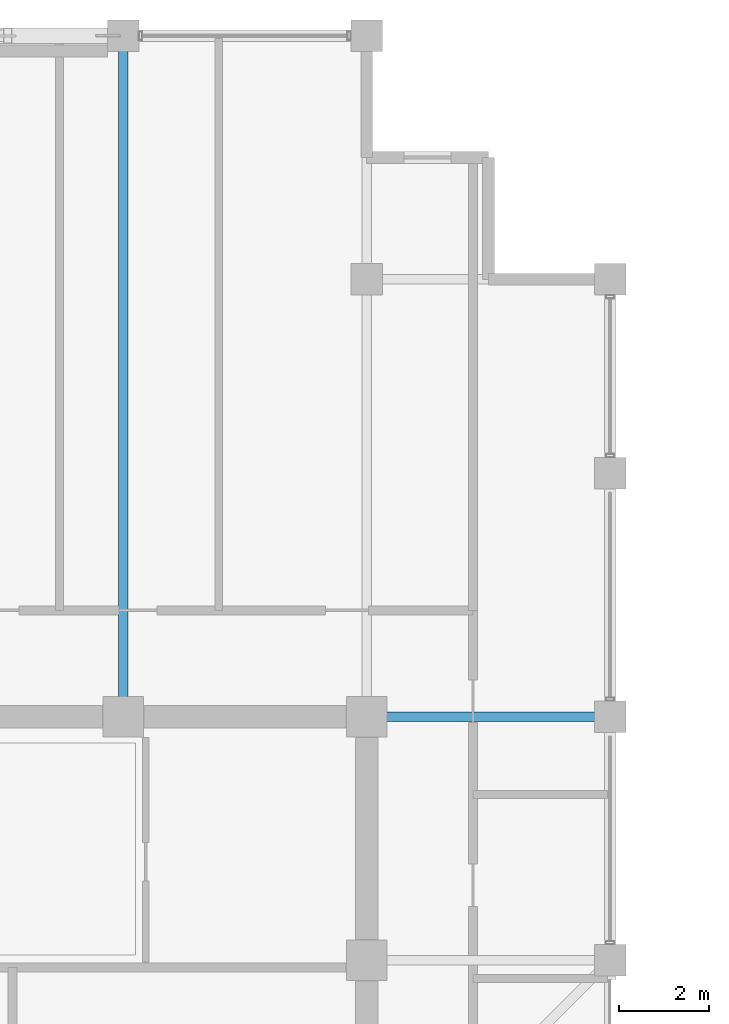
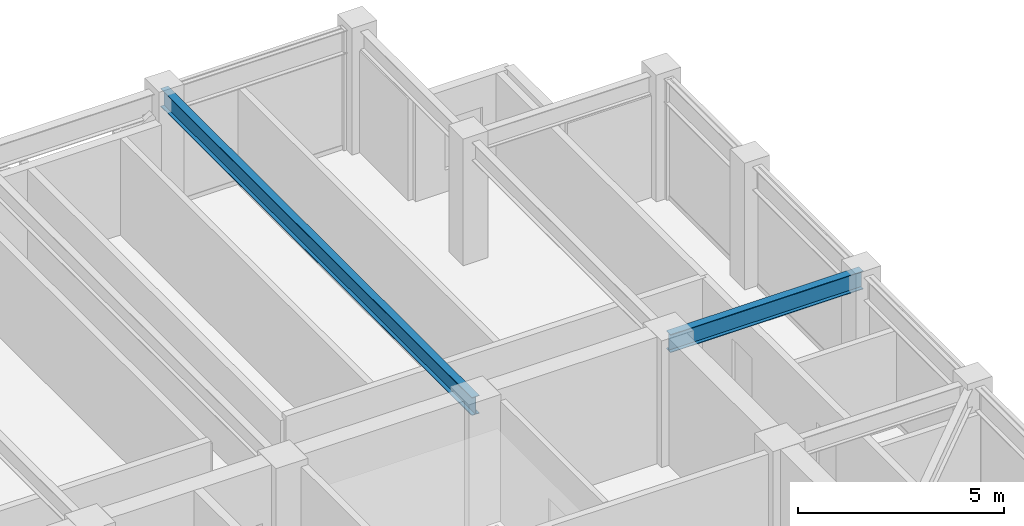
# One storey, part 17 of 29: 2 beams.
"""IFC4 building model written with IfcOpenShell, lengths in metres."""

from ifc_helpers import new_model, si_unit, direction, frame, origin, origin_2d, place, context, subcontext, project, spatial, i_section, extrude, material, material_profile, profile_set, type_object, element, save


model = new_model("IFC4")

# Units and contexts
model_context = context("Model", 3, precision=1e-05, world=origin(), true_north=direction((0.0, 1.0)))
body_context = subcontext(model_context, "Body", "Model", "MODEL_VIEW")
ifc_project = project(units=[si_unit("LENGTHUNIT", "METRE"), si_unit("AREAUNIT", "SQUARE_METRE"), si_unit("VOLUMEUNIT", "CUBIC_METRE"), si_unit("PLANEANGLEUNIT", "RADIAN"), si_unit("MASSUNIT", "GRAM", prefix="KILO")], contexts=[model_context])

# Site, building, storey
site_placement = place(None, origin())
site = spatial("IfcSite", under=ifc_project, at=site_placement, CompositionType="ELEMENT")
building_placement = place(site_placement, origin())
building = spatial("IfcBuilding", under=site, at=building_placement, Name="Surkhivell Harbour Commons", CompositionType="ELEMENT")
storey_placement = place(building_placement, frame((0.0, 0.0, 326.25)))
storey = spatial("IfcBuildingStorey", under=building, at=storey_placement, Name="L85", CompositionType="ELEMENT", Elevation=326.25)

# Beams
ifc_material = material(Name="Steel S355", Category="steel")
ifc_material_profile = material_profile(ifc_material, i_section(OverallWidth=0.2099609375, OverallDepth=0.537109375, WebThickness=0.0107421875, FlangeThickness=0.017333984375, at=origin_2d()), Name="UB533x210x101")
ifc_profile_set = profile_set([ifc_material_profile], Name="Steel S355")
beam_type = type_object("IfcBeamType", Name="BM-GRD-533B", PredefinedType="BEAM", material=ifc_profile_set)
beam_1_placement = place(storey_placement, frame((5.39990234375, 10.800048828125, 3.301513671875), z_axis=(0.0, 1.0, 0.0), x_axis=(-1.0, 0.0, 0.0)))
element("IfcBeam", 1, at=beam_1_placement, inside=storey, type_object=beam_type, Name="L85 Floor Girder (5.4,10.8)", PredefinedType="BEAM", context=body_context, shape_type="SweptSolid", body=[
    extrude(i_section(OverallWidth=0.2099609375, OverallDepth=0.537109375, WebThickness=0.0107421875, FlangeThickness=0.017333984375, at=origin_2d()), origin(), (0.0, 0.0, 1.0), 15.099853515625),
])
beam_2_placement = place(storey_placement, frame((10.800048828125, 10.800048828125, 3.301513671875), z_axis=(1.0, 0.0, 0.0), x_axis=(0.0, 1.0, 0.0)))
element("IfcBeam", 2, at=beam_2_placement, inside=storey, type_object=beam_type, Name="L85 Floor Girder (10.8,10.8)", PredefinedType="BEAM", context=body_context, shape_type="SweptSolid", body=[
    extrude(i_section(OverallWidth=0.2099609375, OverallDepth=0.537109375, WebThickness=0.0107421875, FlangeThickness=0.017333984375, at=origin_2d()), origin(), (0.0, 0.0, 1.0), 5.39990234375),
])

save(model, "model.ifc")
